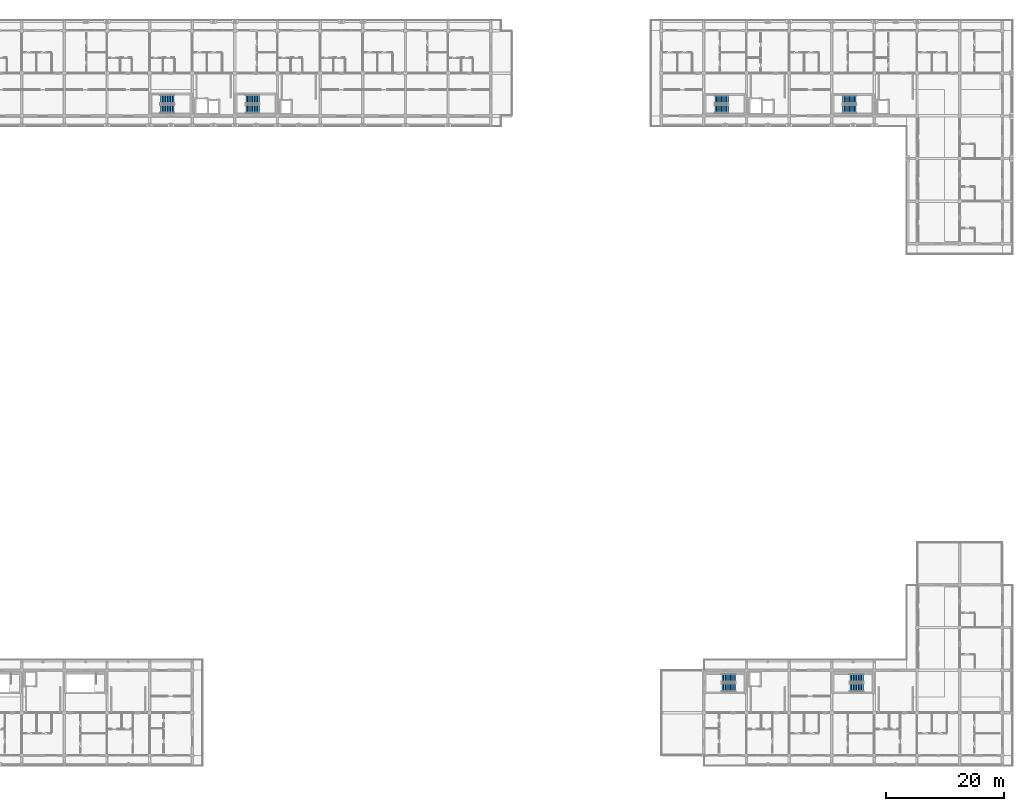
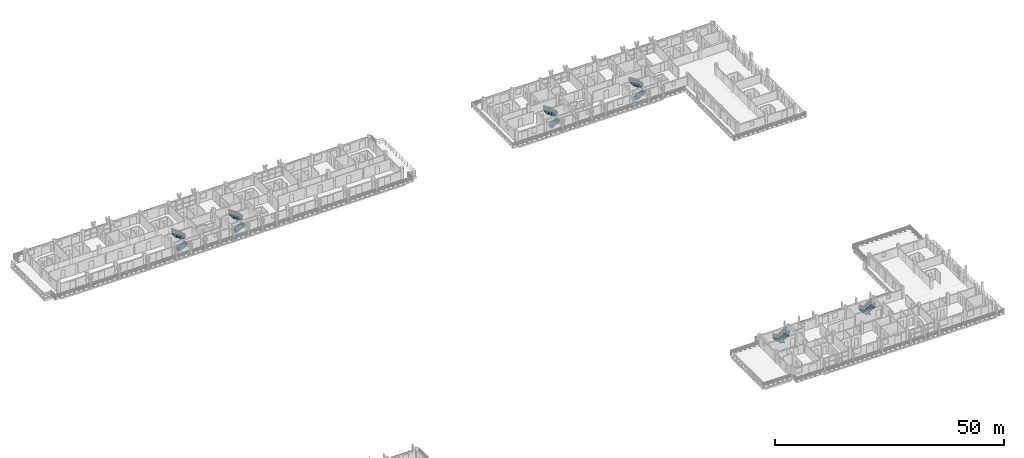
# One storey, part 53 of 65: 12 stair flights, 6 elements without a shape of their own.
"""IFC4 building model written with IfcOpenShell, lengths in metres."""

from ifc_helpers import new_model, si_unit, direction, frame, origin, place, context, subcontext, project, spatial, polyline, outline, extrude, material, type_object, element, aggregate, save


model = new_model("IFC4")

# Units and contexts
model_context = context("Model", 3, precision=1e-05, world=origin(), true_north=direction((0.0, 1.0)))
body_context = subcontext(model_context, "Body", "Model", "MODEL_VIEW")
ifc_project = project(units=[si_unit("LENGTHUNIT", "METRE"), si_unit("AREAUNIT", "SQUARE_METRE"), si_unit("VOLUMEUNIT", "CUBIC_METRE"), si_unit("PLANEANGLEUNIT", "RADIAN"), si_unit("MASSUNIT", "GRAM", prefix="KILO")], contexts=[model_context])

# Site, building, storey
site_placement = place(None, origin())
site = spatial("IfcSite", under=ifc_project, at=site_placement, CompositionType="ELEMENT")
building_placement = place(site_placement, origin())
building = spatial("IfcBuilding", under=site, at=building_placement, Name="Suanplinth Sawtooth Commons", CompositionType="ELEMENT")
storey_placement = place(building_placement, frame((0.0, 0.0, 28.300048828125)))
storey = spatial("IfcBuildingStorey", under=building, at=storey_placement, Name="L08", CompositionType="ELEMENT", Elevation=28.300048828125)

# Stair, stair flights
ifc_material = material(Name="Concrete C40/50", Category="concrete")
stair_type_1 = type_object("IfcStairType", Name="ST-03", PredefinedType="USERDEFINED", material=ifc_material)
stair_1_placement = place(storey_placement, origin())
stair_1 = element("IfcStair", 1, at=stair_1_placement, inside=storey, type_object=stair_type_1, Name="L08 Exit Stair ST-N1", ObjectType="TWO_RETURN_STAIR", PredefinedType="USERDEFINED")
stair_flight_type_1 = type_object("IfcStairFlightType", Name="SF-04", PredefinedType="STRAIGHT", material=ifc_material)
stair_flight_1_placement = place(storey_placement, frame((45.050048828125, 109.175048828125, 0.0), z_axis=(0.0, 0.0, 1.0), x_axis=(1.0, 0.0, 0.0)))
stair_flight_1 = element("IfcStairFlight", 2, at=stair_flight_1_placement, type_object=stair_flight_type_1, Name="ST-03 flight 1", NumberOfRisers=9, NumberOfTreads=8, PredefinedType="STRAIGHT", RiserHeight=0.177777778, TreadLength=0.285, context=body_context, shape_type="SweptSolid", body=[
    extrude(outline(polyline([(0.0, 0.0), (0.0, 0.177734375), (0.284912109375, 0.177734375), (0.284912109375, 0.35546875), (0.570068359375, 0.35546875), (0.570068359375, 0.533447265625), (0.85498046875, 0.533447265625), (0.85498046875, 0.711181640625), (1.139892578125, 0.711181640625), (1.139892578125, 0.888916015625), (1.425048828125, 0.888916015625), (1.425048828125, 1.066650390625), (1.7099609375, 1.066650390625), (1.7099609375, 1.244384765625), (1.9951171875, 1.244384765625), (1.9951171875, 1.422119140625), (2.280029296875, 1.422119140625), (2.280029296875, 1.60009765625), (2.280029296875, 1.233642578125), (0.30224609375, 0.0), (0.0, 0.0)])), frame((0.0, 0.72509765625, 0.0), z_axis=(0.0, -1.0, 0.0), x_axis=(1.0, 0.0, 0.0)), (0.0, 0.0, 1.0), 1.449951171875),
])
stair_flight_2_placement = place(storey_placement, frame((47.330078125, 110.824951171875, 1.599853515625), z_axis=(0.0, 0.0, 1.0), x_axis=(-1.0, 0.0, 0.0)))
stair_flight_2 = element("IfcStairFlight", 3, at=stair_flight_2_placement, type_object=stair_flight_type_1, Name="ST-03 flight 2", NumberOfRisers=9, NumberOfTreads=8, PredefinedType="STRAIGHT", RiserHeight=0.177777778, TreadLength=0.285, context=body_context, shape_type="SweptSolid", body=[
    extrude(outline(polyline([(0.0, 0.0), (0.0, 0.177734375), (0.284912109375, 0.177734375), (0.284912109375, 0.35546875), (0.570068359375, 0.35546875), (0.570068359375, 0.533447265625), (0.85498046875, 0.533447265625), (0.85498046875, 0.711181640625), (1.139892578125, 0.711181640625), (1.139892578125, 0.888916015625), (1.425048828125, 0.888916015625), (1.425048828125, 1.066650390625), (1.7099609375, 1.066650390625), (1.7099609375, 1.244384765625), (1.9951171875, 1.244384765625), (1.9951171875, 1.422119140625), (2.280029296875, 1.422119140625), (2.280029296875, 1.60009765625), (2.280029296875, 1.233642578125), (0.30224609375, 0.0), (0.0, 0.0)])), frame((0.0, 0.72509765625, 0.0), z_axis=(0.0, -1.0, 0.0), x_axis=(1.0, 0.0, 0.0)), (0.0, 0.0, 1.0), 1.449951171875),
])
aggregate(stair_1, [stair_flight_1, stair_flight_2])

stair_2_placement = place(storey_placement, origin())
stair_2 = element("IfcStair", 4, at=stair_2_placement, inside=storey, type_object=stair_type_1, Name="L08 Exit Stair ST-N2", ObjectType="TWO_RETURN_STAIR", PredefinedType="USERDEFINED")
stair_flight_3_placement = place(storey_placement, frame((59.449951171875, 109.175048828125, 0.0), z_axis=(0.0, 0.0, 1.0), x_axis=(1.0, 0.0, 0.0)))
stair_flight_3 = element("IfcStairFlight", 5, at=stair_flight_3_placement, type_object=stair_flight_type_1, Name="ST-03 flight 1", NumberOfRisers=9, NumberOfTreads=8, PredefinedType="STRAIGHT", RiserHeight=0.177777778, TreadLength=0.285, context=body_context, shape_type="SweptSolid", body=[
    extrude(outline(polyline([(0.0, 0.0), (0.0, 0.177734375), (0.284912109375, 0.177734375), (0.284912109375, 0.35546875), (0.570068359375, 0.35546875), (0.570068359375, 0.533447265625), (0.85498046875, 0.533447265625), (0.85498046875, 0.711181640625), (1.139892578125, 0.711181640625), (1.139892578125, 0.888916015625), (1.425048828125, 0.888916015625), (1.425048828125, 1.066650390625), (1.7099609375, 1.066650390625), (1.7099609375, 1.244384765625), (1.9951171875, 1.244384765625), (1.9951171875, 1.422119140625), (2.280029296875, 1.422119140625), (2.280029296875, 1.60009765625), (2.280029296875, 1.233642578125), (0.30224609375, 0.0), (0.0, 0.0)])), frame((0.0, 0.72509765625, 0.0), z_axis=(0.0, -1.0, 0.0), x_axis=(1.0, 0.0, 0.0)), (0.0, 0.0, 1.0), 1.449951171875),
])
stair_flight_4_placement = place(storey_placement, frame((61.72998046875, 110.824951171875, 1.599853515625), z_axis=(0.0, 0.0, 1.0), x_axis=(-1.0, 0.0, 0.0)))
stair_flight_4 = element("IfcStairFlight", 6, at=stair_flight_4_placement, type_object=stair_flight_type_1, Name="ST-03 flight 2", NumberOfRisers=9, NumberOfTreads=8, PredefinedType="STRAIGHT", RiserHeight=0.177777778, TreadLength=0.285, context=body_context, shape_type="SweptSolid", body=[
    extrude(outline(polyline([(0.0, 0.0), (0.0, 0.177734375), (0.284912109375, 0.177734375), (0.284912109375, 0.35546875), (0.570068359375, 0.35546875), (0.570068359375, 0.533447265625), (0.85498046875, 0.533447265625), (0.85498046875, 0.711181640625), (1.139892578125, 0.711181640625), (1.139892578125, 0.888916015625), (1.425048828125, 0.888916015625), (1.425048828125, 1.066650390625), (1.7099609375, 1.066650390625), (1.7099609375, 1.244384765625), (1.9951171875, 1.244384765625), (1.9951171875, 1.422119140625), (2.280029296875, 1.422119140625), (2.280029296875, 1.60009765625), (2.280029296875, 1.233642578125), (0.30224609375, 0.0), (0.0, 0.0)])), frame((0.0, 0.72509765625, 0.0), z_axis=(0.0, -1.0, 0.0), x_axis=(1.0, 0.0, 0.0)), (0.0, 0.0, 1.0), 1.449951171875),
])
aggregate(stair_2, [stair_flight_3, stair_flight_4])

stair_type_2 = type_object("IfcStairType", Name="ST-07", PredefinedType="USERDEFINED", material=ifc_material)
stair_3_placement = place(storey_placement, origin())
stair_3 = element("IfcStair", 7, at=stair_3_placement, inside=storey, type_object=stair_type_2, Name="L08 Exit Stair ST-E1", ObjectType="TWO_RETURN_STAIR", PredefinedType="USERDEFINED")
stair_flight_type_2 = type_object("IfcStairFlightType", Name="SF-08", PredefinedType="STRAIGHT", material=ifc_material)
stair_flight_5_placement = place(storey_placement, frame((138.64990234375, 109.14990234375, 0.0), z_axis=(0.0, 0.0, 1.0), x_axis=(1.0, 0.0, 0.0)))
stair_flight_5 = element("IfcStairFlight", 8, at=stair_flight_5_placement, type_object=stair_flight_type_2, Name="ST-07 flight 1", NumberOfRisers=9, NumberOfTreads=8, PredefinedType="STRAIGHT", RiserHeight=0.177777778, TreadLength=0.285, context=body_context, shape_type="SweptSolid", body=[
    extrude(outline(polyline([(0.0, 0.0), (0.0, 0.177734375), (0.284912109375, 0.177734375), (0.284912109375, 0.35546875), (0.570068359375, 0.35546875), (0.570068359375, 0.533447265625), (0.85498046875, 0.533447265625), (0.85498046875, 0.711181640625), (1.139892578125, 0.711181640625), (1.139892578125, 0.888916015625), (1.425048828125, 0.888916015625), (1.425048828125, 1.066650390625), (1.7099609375, 1.066650390625), (1.7099609375, 1.244384765625), (1.9951171875, 1.244384765625), (1.9951171875, 1.422119140625), (2.280029296875, 1.422119140625), (2.280029296875, 1.60009765625), (2.280029296875, 1.233642578125), (0.30224609375, 0.0), (0.0, 0.0)])), frame((0.0, 0.699951171875, 0.0), z_axis=(0.0, -1.0, 0.0), x_axis=(1.0, 0.0, 0.0)), (0.0, 0.0, 1.0), 1.39990234375),
])
stair_flight_6_placement = place(storey_placement, frame((140.929931640625, 110.75, 1.599853515625), z_axis=(0.0, 0.0, 1.0), x_axis=(-1.0, 0.0, 0.0)))
stair_flight_6 = element("IfcStairFlight", 9, at=stair_flight_6_placement, type_object=stair_flight_type_2, Name="ST-07 flight 2", NumberOfRisers=9, NumberOfTreads=8, PredefinedType="STRAIGHT", RiserHeight=0.177777778, TreadLength=0.285, context=body_context, shape_type="SweptSolid", body=[
    extrude(outline(polyline([(0.0, 0.0), (0.0, 0.177734375), (0.284912109375, 0.177734375), (0.284912109375, 0.35546875), (0.570068359375, 0.35546875), (0.570068359375, 0.533447265625), (0.85498046875, 0.533447265625), (0.85498046875, 0.711181640625), (1.139892578125, 0.711181640625), (1.139892578125, 0.888916015625), (1.425048828125, 0.888916015625), (1.425048828125, 1.066650390625), (1.7099609375, 1.066650390625), (1.7099609375, 1.244384765625), (1.9951171875, 1.244384765625), (1.9951171875, 1.422119140625), (2.280029296875, 1.422119140625), (2.280029296875, 1.60009765625), (2.280029296875, 1.233642578125), (0.30224609375, 0.0), (0.0, 0.0)])), frame((0.0, 0.699951171875, 0.0), z_axis=(0.0, -1.0, 0.0), x_axis=(1.0, 0.0, 0.0)), (0.0, 0.0, 1.0), 1.39990234375),
])
aggregate(stair_3, [stair_flight_5, stair_flight_6])

stair_4_placement = place(storey_placement, origin())
stair_4 = element("IfcStair", 10, at=stair_4_placement, inside=storey, type_object=stair_type_2, Name="L08 Exit Stair ST-E2", ObjectType="TWO_RETURN_STAIR", PredefinedType="USERDEFINED")
stair_flight_7_placement = place(storey_placement, frame((160.25, 109.14990234375, 0.0), z_axis=(0.0, 0.0, 1.0), x_axis=(1.0, 0.0, 0.0)))
stair_flight_7 = element("IfcStairFlight", 11, at=stair_flight_7_placement, type_object=stair_flight_type_2, Name="ST-07 flight 1", NumberOfRisers=9, NumberOfTreads=8, PredefinedType="STRAIGHT", RiserHeight=0.177777778, TreadLength=0.285, context=body_context, shape_type="SweptSolid", body=[
    extrude(outline(polyline([(0.0, 0.0), (0.0, 0.177734375), (0.284912109375, 0.177734375), (0.284912109375, 0.35546875), (0.570068359375, 0.35546875), (0.570068359375, 0.533447265625), (0.85498046875, 0.533447265625), (0.85498046875, 0.711181640625), (1.139892578125, 0.711181640625), (1.139892578125, 0.888916015625), (1.425048828125, 0.888916015625), (1.425048828125, 1.066650390625), (1.7099609375, 1.066650390625), (1.7099609375, 1.244384765625), (1.9951171875, 1.244384765625), (1.9951171875, 1.422119140625), (2.280029296875, 1.422119140625), (2.280029296875, 1.60009765625), (2.280029296875, 1.233642578125), (0.30224609375, 0.0), (0.0, 0.0)])), frame((0.0, 0.699951171875, 0.0), z_axis=(0.0, -1.0, 0.0), x_axis=(1.0, 0.0, 0.0)), (0.0, 0.0, 1.0), 1.39990234375),
])
stair_flight_8_placement = place(storey_placement, frame((162.530029296875, 110.75, 1.599853515625), z_axis=(0.0, 0.0, 1.0), x_axis=(-1.0, 0.0, 0.0)))
stair_flight_8 = element("IfcStairFlight", 12, at=stair_flight_8_placement, type_object=stair_flight_type_2, Name="ST-07 flight 2", NumberOfRisers=9, NumberOfTreads=8, PredefinedType="STRAIGHT", RiserHeight=0.177777778, TreadLength=0.285, context=body_context, shape_type="SweptSolid", body=[
    extrude(outline(polyline([(0.0, 0.0), (0.0, 0.177734375), (0.284912109375, 0.177734375), (0.284912109375, 0.35546875), (0.570068359375, 0.35546875), (0.570068359375, 0.533447265625), (0.85498046875, 0.533447265625), (0.85498046875, 0.711181640625), (1.139892578125, 0.711181640625), (1.139892578125, 0.888916015625), (1.425048828125, 0.888916015625), (1.425048828125, 1.066650390625), (1.7099609375, 1.066650390625), (1.7099609375, 1.244384765625), (1.9951171875, 1.244384765625), (1.9951171875, 1.422119140625), (2.280029296875, 1.422119140625), (2.280029296875, 1.60009765625), (2.280029296875, 1.233642578125), (0.30224609375, 0.0), (0.0, 0.0)])), frame((0.0, 0.699951171875, 0.0), z_axis=(0.0, -1.0, 0.0), x_axis=(1.0, 0.0, 0.0)), (0.0, 0.0, 1.0), 1.39990234375),
])
aggregate(stair_4, [stair_flight_7, stair_flight_8])

stair_5_placement = place(storey_placement, origin())
stair_5 = element("IfcStair", 13, at=stair_5_placement, inside=storey, type_object=stair_type_2, Name="L08 Exit Stair ST-S1", ObjectType="TWO_RETURN_STAIR", PredefinedType="USERDEFINED")
stair_flight_9_placement = place(storey_placement, frame((142.14990234375, 13.050048828125, 0.0), z_axis=(0.0, 0.0, 1.0), x_axis=(-1.0, 0.0, 0.0)))
stair_flight_9 = element("IfcStairFlight", 14, at=stair_flight_9_placement, type_object=stair_flight_type_2, Name="ST-07 flight 1", NumberOfRisers=9, NumberOfTreads=8, PredefinedType="STRAIGHT", RiserHeight=0.177777778, TreadLength=0.285, context=body_context, shape_type="SweptSolid", body=[
    extrude(outline(polyline([(0.0, 0.0), (0.0, 0.177734375), (0.284912109375, 0.177734375), (0.284912109375, 0.35546875), (0.570068359375, 0.35546875), (0.570068359375, 0.533447265625), (0.85498046875, 0.533447265625), (0.85498046875, 0.711181640625), (1.139892578125, 0.711181640625), (1.139892578125, 0.888916015625), (1.425048828125, 0.888916015625), (1.425048828125, 1.066650390625), (1.7099609375, 1.066650390625), (1.7099609375, 1.244384765625), (1.9951171875, 1.244384765625), (1.9951171875, 1.422119140625), (2.280029296875, 1.422119140625), (2.280029296875, 1.60009765625), (2.280029296875, 1.233642578125), (0.30224609375, 0.0), (0.0, 0.0)])), frame((0.0, 0.699951171875, 0.0), z_axis=(0.0, -1.0, 0.0), x_axis=(1.0, 0.0, 0.0)), (0.0, 0.0, 1.0), 1.39990234375),
])
stair_flight_10_placement = place(storey_placement, frame((139.8701171875, 11.449951171875, 1.599853515625), z_axis=(0.0, 0.0, 1.0), x_axis=(1.0, 0.0, 0.0)))
stair_flight_10 = element("IfcStairFlight", 15, at=stair_flight_10_placement, type_object=stair_flight_type_2, Name="ST-07 flight 2", NumberOfRisers=9, NumberOfTreads=8, PredefinedType="STRAIGHT", RiserHeight=0.177777778, TreadLength=0.285, context=body_context, shape_type="SweptSolid", body=[
    extrude(outline(polyline([(0.0, 0.0), (0.0, 0.177734375), (0.284912109375, 0.177734375), (0.284912109375, 0.35546875), (0.570068359375, 0.35546875), (0.570068359375, 0.533447265625), (0.85498046875, 0.533447265625), (0.85498046875, 0.711181640625), (1.139892578125, 0.711181640625), (1.139892578125, 0.888916015625), (1.425048828125, 0.888916015625), (1.425048828125, 1.066650390625), (1.7099609375, 1.066650390625), (1.7099609375, 1.244384765625), (1.9951171875, 1.244384765625), (1.9951171875, 1.422119140625), (2.280029296875, 1.422119140625), (2.280029296875, 1.60009765625), (2.280029296875, 1.233642578125), (0.30224609375, 0.0), (0.0, 0.0)])), frame((0.0, 0.699951171875, 0.0), z_axis=(0.0, -1.0, 0.0), x_axis=(1.0, 0.0, 0.0)), (0.0, 0.0, 1.0), 1.39990234375),
])
aggregate(stair_5, [stair_flight_9, stair_flight_10])

stair_6_placement = place(storey_placement, origin())
stair_6 = element("IfcStair", 16, at=stair_6_placement, inside=storey, type_object=stair_type_2, Name="L08 Exit Stair ST-S2", ObjectType="TWO_RETURN_STAIR", PredefinedType="USERDEFINED")
stair_flight_11_placement = place(storey_placement, frame((163.75, 13.050048828125, 0.0), z_axis=(0.0, 0.0, 1.0), x_axis=(-1.0, 0.0, 0.0)))
stair_flight_11 = element("IfcStairFlight", 17, at=stair_flight_11_placement, type_object=stair_flight_type_2, Name="ST-07 flight 1", NumberOfRisers=9, NumberOfTreads=8, PredefinedType="STRAIGHT", RiserHeight=0.177777778, TreadLength=0.285, context=body_context, shape_type="SweptSolid", body=[
    extrude(outline(polyline([(0.0, 0.0), (0.0, 0.177734375), (0.284912109375, 0.177734375), (0.284912109375, 0.35546875), (0.570068359375, 0.35546875), (0.570068359375, 0.533447265625), (0.85498046875, 0.533447265625), (0.85498046875, 0.711181640625), (1.139892578125, 0.711181640625), (1.139892578125, 0.888916015625), (1.425048828125, 0.888916015625), (1.425048828125, 1.066650390625), (1.7099609375, 1.066650390625), (1.7099609375, 1.244384765625), (1.9951171875, 1.244384765625), (1.9951171875, 1.422119140625), (2.280029296875, 1.422119140625), (2.280029296875, 1.60009765625), (2.280029296875, 1.233642578125), (0.30224609375, 0.0), (0.0, 0.0)])), frame((0.0, 0.699951171875, 0.0), z_axis=(0.0, -1.0, 0.0), x_axis=(1.0, 0.0, 0.0)), (0.0, 0.0, 1.0), 1.39990234375),
])
stair_flight_12_placement = place(storey_placement, frame((161.469970703125, 11.449951171875, 1.599853515625), z_axis=(0.0, 0.0, 1.0), x_axis=(1.0, 0.0, 0.0)))
stair_flight_12 = element("IfcStairFlight", 18, at=stair_flight_12_placement, type_object=stair_flight_type_2, Name="ST-07 flight 2", NumberOfRisers=9, NumberOfTreads=8, PredefinedType="STRAIGHT", RiserHeight=0.177777778, TreadLength=0.285, context=body_context, shape_type="SweptSolid", body=[
    extrude(outline(polyline([(0.0, 0.0), (0.0, 0.177734375), (0.284912109375, 0.177734375), (0.284912109375, 0.35546875), (0.570068359375, 0.35546875), (0.570068359375, 0.533447265625), (0.85498046875, 0.533447265625), (0.85498046875, 0.711181640625), (1.139892578125, 0.711181640625), (1.139892578125, 0.888916015625), (1.425048828125, 0.888916015625), (1.425048828125, 1.066650390625), (1.7099609375, 1.066650390625), (1.7099609375, 1.244384765625), (1.9951171875, 1.244384765625), (1.9951171875, 1.422119140625), (2.280029296875, 1.422119140625), (2.280029296875, 1.60009765625), (2.280029296875, 1.233642578125), (0.30224609375, 0.0), (0.0, 0.0)])), frame((0.0, 0.699951171875, 0.0), z_axis=(0.0, -1.0, 0.0), x_axis=(1.0, 0.0, 0.0)), (0.0, 0.0, 1.0), 1.39990234375),
])
aggregate(stair_6, [stair_flight_11, stair_flight_12])

save(model, "model.ifc")
